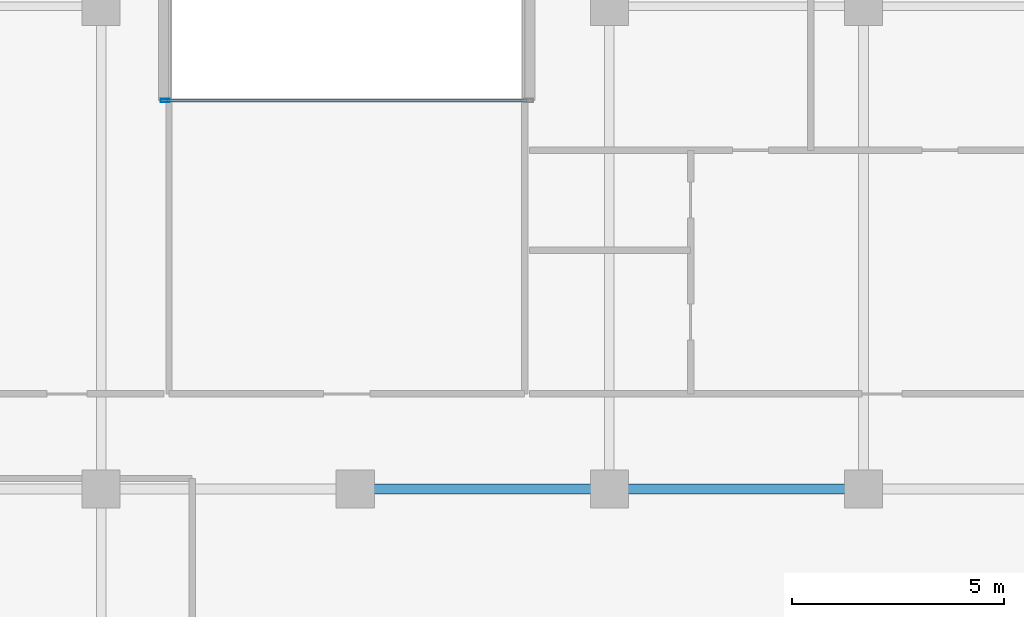
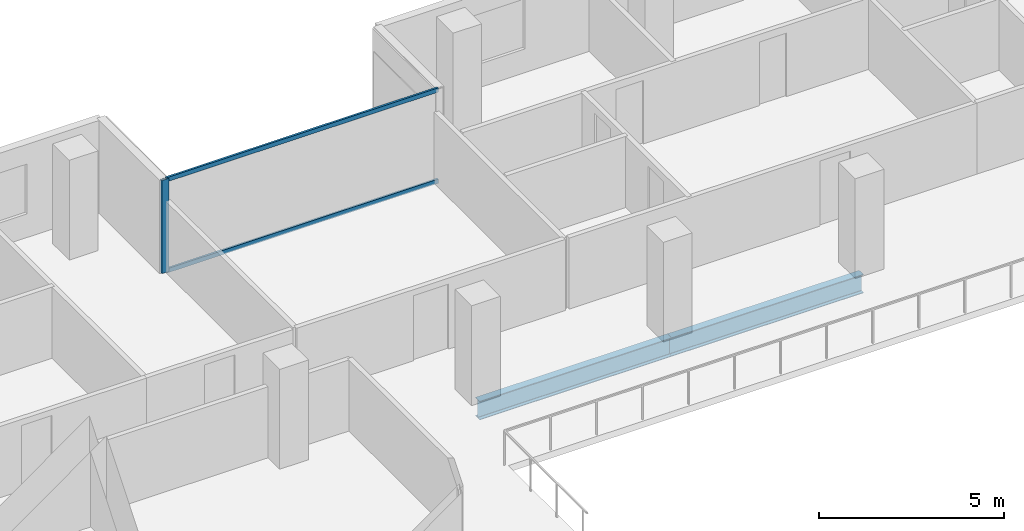
# One storey, part 10 of 29: 3 members, 2 beams, 1 element without a shape of its own.
"""IFC4 building model written with IfcOpenShell, lengths in metres."""

from ifc_helpers import new_model, si_unit, direction, frame, origin, origin_2d, place, context, subcontext, project, spatial, hollow_rectangle, i_section, extrude, material, layer, layer_set, material_profile, profile_set, type_object, element, aggregate, save


model = new_model("IFC4")

# Units and contexts
model_context = context("Model", 3, precision=1e-05, world=origin(), true_north=direction((0.0, 1.0)))
body_context = subcontext(model_context, "Body", "Model", "MODEL_VIEW")
ifc_project = project(units=[si_unit("LENGTHUNIT", "METRE"), si_unit("AREAUNIT", "SQUARE_METRE"), si_unit("VOLUMEUNIT", "CUBIC_METRE"), si_unit("PLANEANGLEUNIT", "RADIAN"), si_unit("MASSUNIT", "GRAM", prefix="KILO")], contexts=[model_context])

# Site, building, storey
site_placement = place(None, origin())
site = spatial("IfcSite", under=ifc_project, at=site_placement, CompositionType="ELEMENT")
building_placement = place(site_placement, origin())
building = spatial("IfcBuilding", under=site, at=building_placement, Name="Tanjung Sevakor Pilgrim Tower", CompositionType="ELEMENT")
storey_placement = place(building_placement, frame((0.0, 0.0, 151.800048828125)))
storey = spatial("IfcBuildingStorey", under=building, at=storey_placement, Name="L42", CompositionType="ELEMENT", Elevation=151.800048828125)

# Beams
ifc_material_1 = material(Name="Steel S355J2", Category="steel")
ifc_material_profile_1 = material_profile(ifc_material_1, i_section(OverallWidth=0.230224609375, OverallDepth=0.6171875, WebThickness=0.01318359375, FlangeThickness=0.022216796875, FilletRadius=0.0126953125, at=origin_2d()))
ifc_profile_set_1 = profile_set([ifc_material_profile_1], Name="Steel S355J2")
beam_type = type_object("IfcBeamType", Name="BM-B-G3-UB_610x229x140", PredefinedType="BEAM", material=ifc_profile_set_1)
for number, where, z_axis, x_axis, name in (
    (1, (48.0, 42.60009765625, -0.528564453125), (1.0, 0.0, 0.0), (0.0, 1.0, 0.0), "L42 Primary Floor Girder MAIN Y426-03"),
    (2, (54.0, 42.60009765625, -0.528564453125), (1.0, 0.0, 0.0), (0.0, 1.0, 0.0), "L42 Primary Floor Girder MAIN Y426-04"),
):
    element("IfcBeam", number, at=place(storey_placement, frame(where, z_axis=z_axis, x_axis=x_axis)), inside=storey, type_object=beam_type, Name=name, PredefinedType="BEAM", context=body_context, shape_type="SweptSolid", body=[
        extrude(i_section(OverallWidth=0.230224609375, OverallDepth=0.6171875, WebThickness=0.01318359375, FlangeThickness=0.022216796875, FilletRadius=0.0126953125, at=origin_2d()), origin(), (0.0, 0.0, 1.0), 6.0),
    ])

# Curtain wall, members
ifc_material_2 = material(Name="Aluminium 6063-T6 and Low-E Glass", Category="aluminium")
ifc_layer = layer(ifc_material_2, 0.179931640625)
ifc_layer_set = layer_set([ifc_layer], Name="CW-SYS-CLEFT")
curtain_wall_type = type_object("IfcCurtainWallType", Name="CW-SYS-CLEFT", PredefinedType="NOTDEFINED", material=ifc_layer_set)
curtain_wall_placement = place(storey_placement, origin())
curtain_wall = element("IfcCurtainWall", 3, at=curtain_wall_placement, inside=storey, type_object=curtain_wall_type, Name="L42 Curtain Wall CW-CLF-L42-10", PredefinedType="NOTDEFINED")
ifc_material_3 = material(Name="Aluminium 6063-T6", Category="aluminium")
ifc_material_profile_2 = material_profile(ifc_material_3, hollow_rectangle(XDim=0.074951171875, YDim=0.219970703125, WallThickness=0.0048828125, at=origin_2d()))
ifc_profile_set_2 = profile_set([ifc_material_profile_2], Name="Aluminium 6063-T6")
member_type_1 = type_object("IfcMemberType", Name="TYPE-CWM-2", PredefinedType="MULLION", material=ifc_profile_set_2)
member_1_placement = place(storey_placement, frame((43.512451171875, 51.77490234375, 0.0), z_axis=(0.0, 0.0, 1.0), x_axis=(0.0, -1.0, 0.0)))
member_1 = element("IfcMember", 4, at=member_1_placement, type_object=member_type_1, Name="CW-CLF mullion 2", PredefinedType="MULLION", context=body_context, shape_type="SweptSolid", body=[
    extrude(hollow_rectangle(XDim=0.074951171875, YDim=0.219970703125, WallThickness=0.0048828125, at=origin_2d()), origin(), (0.0, 0.0, 1.0), 3.079833984375),
])
ifc_material_4 = material(Name="Aluminium 6063-T6", Category="aluminium")
ifc_material_profile_3 = material_profile(ifc_material_4, hollow_rectangle(XDim=0.06494140625, YDim=0.139892578125, WallThickness=0.00390625, at=origin_2d()))
ifc_profile_set_3 = profile_set([ifc_material_profile_3], Name="Aluminium 6063-T6")
member_type_2 = type_object("IfcMemberType", Name="TYPE-CWT-1", PredefinedType="USERDEFINED", material=ifc_profile_set_3)
member_2_placement = place(storey_placement, frame((52.050048828125, 51.77490234375, 0.032470703125), z_axis=(-1.0, 0.0, 0.0), x_axis=(0.0, -1.0, 0.0)))
member_2 = element("IfcMember", 5, at=member_2_placement, type_object=member_type_2, Name="CW-CLF transom 1.1", ObjectType="TRANSOM", PredefinedType="USERDEFINED", context=body_context, shape_type="SweptSolid", body=[
    extrude(hollow_rectangle(XDim=0.06494140625, YDim=0.139892578125, WallThickness=0.00390625, at=origin_2d()), origin(), (0.0, 0.0, 1.0), 8.5),
])
member_3_placement = place(storey_placement, frame((52.050048828125, 51.77490234375, 3.04736328125), z_axis=(-1.0, 0.0, 0.0), x_axis=(0.0, -1.0, 0.0)))
member_3 = element("IfcMember", 6, at=member_3_placement, type_object=member_type_2, Name="CW-CLF transom 1.2", ObjectType="TRANSOM", PredefinedType="USERDEFINED", context=body_context, shape_type="SweptSolid", body=[
    extrude(hollow_rectangle(XDim=0.06494140625, YDim=0.139892578125, WallThickness=0.00390625, at=origin_2d()), origin(), (0.0, 0.0, 1.0), 8.5),
])
aggregate(curtain_wall, [member_1, member_2, member_3])

save(model, "model.ifc")
